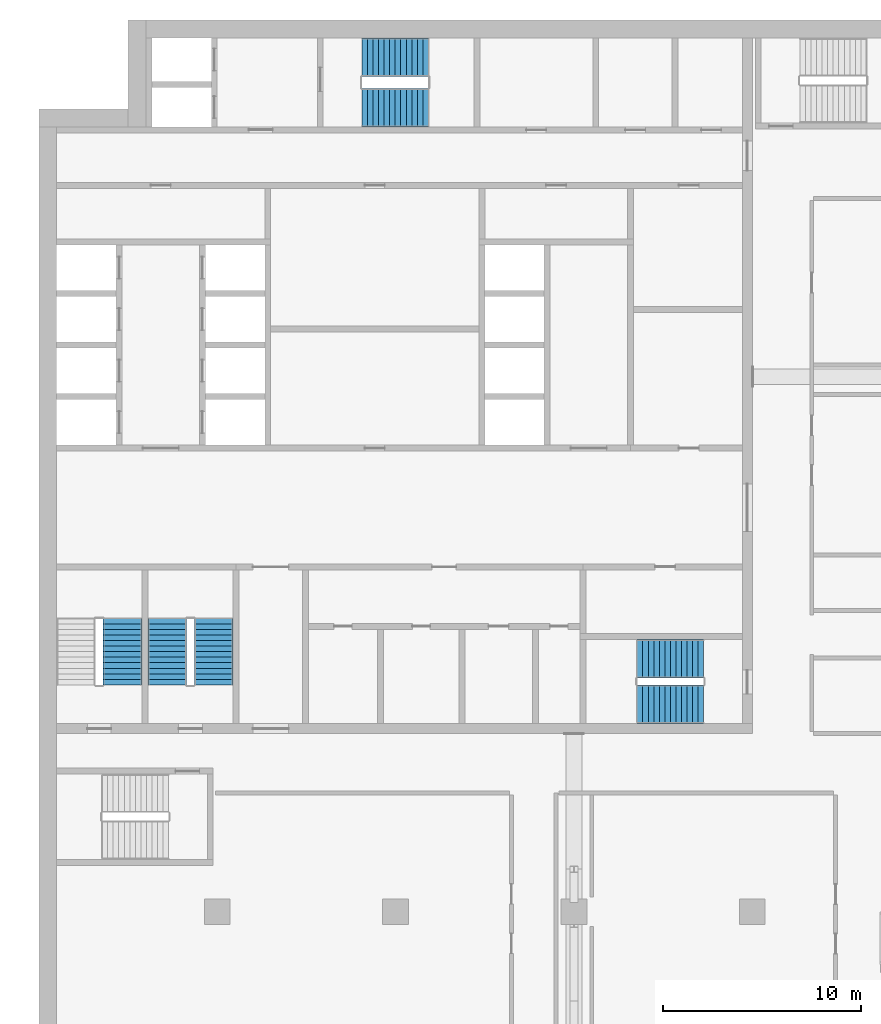
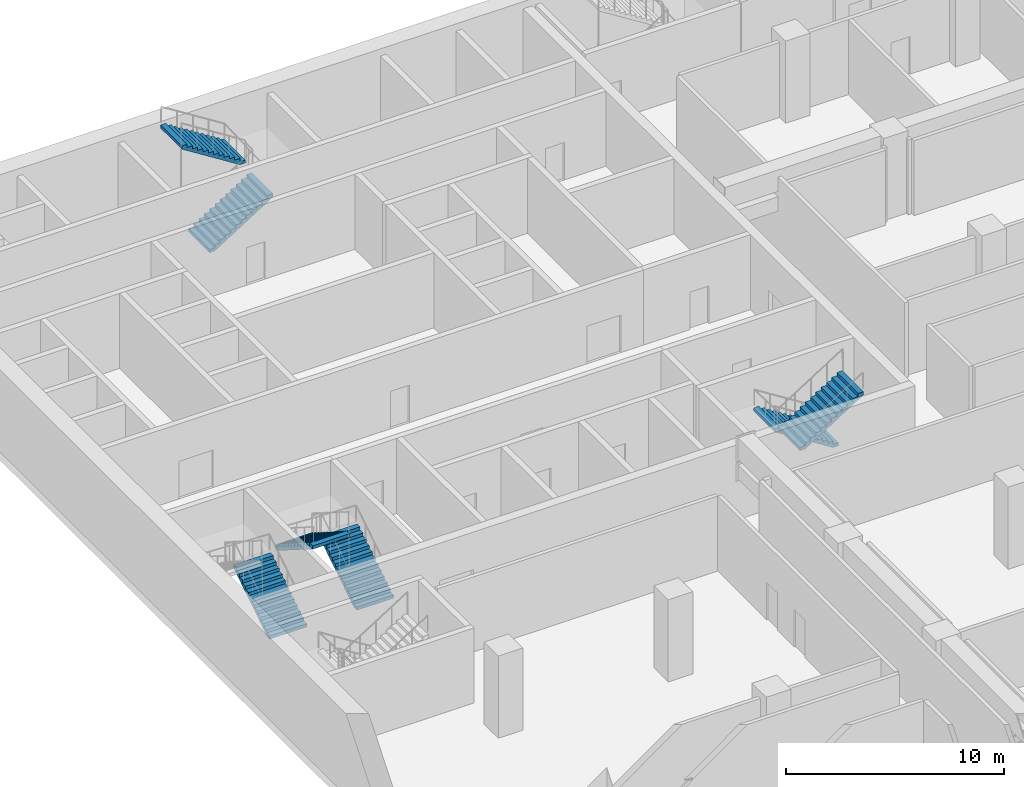
# One storey, part 14 of 22: 7 stair flights, 4 elements without a shape of their own.
"""IFC4 building model written with IfcOpenShell, lengths in metres."""

from ifc_helpers import new_model, si_unit, direction, frame, origin, place, context, subcontext, project, spatial, polyline, outline, extrude, material, type_object, element, aggregate, save


model = new_model("IFC4")

# Units and contexts
model_context = context("Model", 3, precision=1e-05, world=origin(), true_north=direction((0.0, 1.0)))
body_context = subcontext(model_context, "Body", "Model", "MODEL_VIEW")
ifc_project = project(units=[si_unit("LENGTHUNIT", "METRE"), si_unit("AREAUNIT", "SQUARE_METRE"), si_unit("VOLUMEUNIT", "CUBIC_METRE"), si_unit("PLANEANGLEUNIT", "RADIAN"), si_unit("MASSUNIT", "GRAM", prefix="KILO")], contexts=[model_context])

# Site, building, storey
site_placement = place(None, origin())
site = spatial("IfcSite", under=ifc_project, at=site_placement, CompositionType="ELEMENT")
building_placement = place(site_placement, origin())
building = spatial("IfcBuilding", under=site, at=building_placement, Name="Hunhe Ridgeline Campus", CompositionType="ELEMENT")
storey_placement = place(building_placement, frame((0.0, 0.0, 129.199951171875)))
storey = spatial("IfcBuildingStorey", under=building, at=storey_placement, Name="L32", CompositionType="ELEMENT", Elevation=129.199951171875)

# Stair, stair flights
ifc_material = material(Name="Concrete C40", Category="concrete")
stair_type = type_object("IfcStairType", Name="Reinforced concrete dog-leg stair 1950 Concrete C40", PredefinedType="HALF_TURN_STAIR", material=ifc_material)
stair_1_placement = place(storey_placement, origin())
stair_1 = element("IfcStair", 1, at=stair_1_placement, inside=storey, type_object=stair_type, Name="L32 S1", PredefinedType="HALF_TURN_STAIR")
stair_flight_type = type_object("IfcStairFlightType", Name="Reinforced concrete stair flight 1950 Concrete C40", PredefinedType="STRAIGHT", material=ifc_material)
stair_flight_1_placement = place(storey_placement, frame((16.300048828125, 94.574951171875, 0.0), z_axis=(0.0, 0.0, 1.0), x_axis=(1.0, 0.0, 0.0)))
stair_flight_1 = element("IfcStairFlight", 2, at=stair_flight_1_placement, type_object=stair_flight_type, Name="ST1 flight 1", NumberOfRisers=13, NumberOfTreads=12, PredefinedType="STRAIGHT", RiserHeight=0.176923077, TreadLength=0.28, context=body_context, shape_type="SweptSolid", body=[
    extrude(outline(polyline([(0.0, 0.0), (0.0, 0.177001953125), (0.280029296875, 0.177001953125), (0.280029296875, 0.353759765625), (0.56005859375, 0.353759765625), (0.56005859375, 0.53076171875), (0.840087890625, 0.53076171875), (0.840087890625, 0.707763671875), (1.1201171875, 0.707763671875), (1.1201171875, 0.884521484375), (1.39990234375, 0.884521484375), (1.39990234375, 1.0615234375), (1.679931640625, 1.0615234375), (1.679931640625, 1.238525390625), (1.9599609375, 1.238525390625), (1.9599609375, 1.415283203125), (2.239990234375, 1.415283203125), (2.239990234375, 1.59228515625), (2.52001953125, 1.59228515625), (2.52001953125, 1.769287109375), (2.800048828125, 1.769287109375), (2.800048828125, 1.946044921875), (3.080078125, 1.946044921875), (3.080078125, 2.123046875), (3.360107421875, 2.123046875), (3.360107421875, 2.300048828125), (3.360107421875, 1.94580078125), (0.280517578125, 0.0), (0.0, 0.0)])), frame((0.0, 0.97509765625, 0.0), z_axis=(0.0, -1.0, 0.0), x_axis=(1.0, 0.0, 0.0)), (0.0, 0.0, 1.0), 1.949951171875),
    extrude(outline(polyline([(0.030029296875, 0.030029296875), (0.030029296875, 0.14697265625), (0.31005859375, 0.14697265625), (0.31005859375, 0.32373046875), (0.590087890625, 0.32373046875), (0.590087890625, 0.500732421875), (0.8701171875, 0.500732421875), (0.8701171875, 0.677734375), (1.14990234375, 0.677734375), (1.14990234375, 0.8544921875), (1.429931640625, 0.8544921875), (1.429931640625, 1.031494140625), (1.7099609375, 1.031494140625), (1.7099609375, 1.20849609375), (1.989990234375, 1.20849609375), (1.989990234375, 1.385498046875), (2.27001953125, 1.385498046875), (2.27001953125, 1.562255859375), (2.550048828125, 1.562255859375), (2.550048828125, 1.7392578125), (2.830078125, 1.7392578125), (2.830078125, 1.916259765625), (3.110107421875, 1.916259765625), (3.110107421875, 2.093017578125), (3.330078125, 2.093017578125), (3.330078125, 1.96240234375), (0.27197265625, 0.030029296875), (0.030029296875, 0.030029296875)])), frame((0.0, -0.070068359375, 0.0), z_axis=(0.0, -1.0, 0.0), x_axis=(1.0, 0.0, 0.0)), (0.0, 0.0, 1.0), 0.019775390625),
    extrude(outline(polyline([(0.030029296875, 0.030029296875), (0.030029296875, 0.14697265625), (0.31005859375, 0.14697265625), (0.31005859375, 0.32373046875), (0.590087890625, 0.32373046875), (0.590087890625, 0.500732421875), (0.8701171875, 0.500732421875), (0.8701171875, 0.677734375), (1.14990234375, 0.677734375), (1.14990234375, 0.8544921875), (1.429931640625, 0.8544921875), (1.429931640625, 1.031494140625), (1.7099609375, 1.031494140625), (1.7099609375, 1.20849609375), (1.989990234375, 1.20849609375), (1.989990234375, 1.385498046875), (2.27001953125, 1.385498046875), (2.27001953125, 1.562255859375), (2.550048828125, 1.562255859375), (2.550048828125, 1.7392578125), (2.830078125, 1.7392578125), (2.830078125, 1.916259765625), (3.110107421875, 1.916259765625), (3.110107421875, 2.093017578125), (3.330078125, 2.093017578125), (3.330078125, 1.96240234375), (0.27197265625, 0.030029296875), (0.030029296875, 0.030029296875)])), frame((0.0, 0.010009765625, 0.0), z_axis=(0.0, -1.0, 0.0), x_axis=(1.0, 0.0, 0.0)), (0.0, 0.0, 1.0), 0.019775390625),
    extrude(outline(polyline([(0.030029296875, 0.030029296875), (0.030029296875, 0.14697265625), (0.31005859375, 0.14697265625), (0.31005859375, 0.32373046875), (0.590087890625, 0.32373046875), (0.590087890625, 0.500732421875), (0.8701171875, 0.500732421875), (0.8701171875, 0.677734375), (1.14990234375, 0.677734375), (1.14990234375, 0.8544921875), (1.429931640625, 0.8544921875), (1.429931640625, 1.031494140625), (1.7099609375, 1.031494140625), (1.7099609375, 1.20849609375), (1.989990234375, 1.20849609375), (1.989990234375, 1.385498046875), (2.27001953125, 1.385498046875), (2.27001953125, 1.562255859375), (2.550048828125, 1.562255859375), (2.550048828125, 1.7392578125), (2.830078125, 1.7392578125), (2.830078125, 1.916259765625), (3.110107421875, 1.916259765625), (3.110107421875, 2.093017578125), (3.330078125, 2.093017578125), (3.330078125, 1.96240234375), (0.27197265625, 0.030029296875), (0.030029296875, 0.030029296875)])), frame((0.0, 0.090087890625, 0.0), z_axis=(0.0, -1.0, 0.0), x_axis=(1.0, 0.0, 0.0)), (0.0, 0.0, 1.0), 0.019775390625),
])
stair_flight_2_placement = place(storey_placement, frame((19.659912109375, 97.125, 2.300048828125), z_axis=(0.0, 0.0, 1.0), x_axis=(-1.0, 0.0, 0.0)))
stair_flight_2 = element("IfcStairFlight", 3, at=stair_flight_2_placement, type_object=stair_flight_type, Name="ST1 flight 2", NumberOfRisers=13, NumberOfTreads=12, PredefinedType="STRAIGHT", RiserHeight=0.176923077, TreadLength=0.28, context=body_context, shape_type="SweptSolid", body=[
    extrude(outline(polyline([(0.0, 0.0), (0.0, 0.177001953125), (0.280029296875, 0.177001953125), (0.280029296875, 0.353759765625), (0.56005859375, 0.353759765625), (0.56005859375, 0.53076171875), (0.840087890625, 0.53076171875), (0.840087890625, 0.707763671875), (1.1201171875, 0.707763671875), (1.1201171875, 0.884521484375), (1.39990234375, 0.884521484375), (1.39990234375, 1.0615234375), (1.679931640625, 1.0615234375), (1.679931640625, 1.238525390625), (1.9599609375, 1.238525390625), (1.9599609375, 1.415283203125), (2.239990234375, 1.415283203125), (2.239990234375, 1.59228515625), (2.52001953125, 1.59228515625), (2.52001953125, 1.769287109375), (2.800048828125, 1.769287109375), (2.800048828125, 1.946044921875), (3.080078125, 1.946044921875), (3.080078125, 2.123046875), (3.360107421875, 2.123046875), (3.360107421875, 2.300048828125), (3.360107421875, 1.94580078125), (0.280517578125, 0.0), (0.0, 0.0)])), frame((0.0, 0.97509765625, 0.0), z_axis=(0.0, -1.0, 0.0), x_axis=(1.0, 0.0, 0.0)), (0.0, 0.0, 1.0), 1.949951171875),
    extrude(outline(polyline([(0.030029296875, 0.030029296875), (0.030029296875, 0.14697265625), (0.31005859375, 0.14697265625), (0.31005859375, 0.32373046875), (0.590087890625, 0.32373046875), (0.590087890625, 0.500732421875), (0.8701171875, 0.500732421875), (0.8701171875, 0.677734375), (1.14990234375, 0.677734375), (1.14990234375, 0.8544921875), (1.429931640625, 0.8544921875), (1.429931640625, 1.031494140625), (1.7099609375, 1.031494140625), (1.7099609375, 1.20849609375), (1.989990234375, 1.20849609375), (1.989990234375, 1.385498046875), (2.27001953125, 1.385498046875), (2.27001953125, 1.562255859375), (2.550048828125, 1.562255859375), (2.550048828125, 1.7392578125), (2.830078125, 1.7392578125), (2.830078125, 1.916259765625), (3.110107421875, 1.916259765625), (3.110107421875, 2.093017578125), (3.330078125, 2.093017578125), (3.330078125, 1.96240234375), (0.27197265625, 0.030029296875), (0.030029296875, 0.030029296875)])), frame((0.0, -0.070068359375, 0.0), z_axis=(0.0, -1.0, 0.0), x_axis=(1.0, 0.0, 0.0)), (0.0, 0.0, 1.0), 0.019775390625),
    extrude(outline(polyline([(0.030029296875, 0.030029296875), (0.030029296875, 0.14697265625), (0.31005859375, 0.14697265625), (0.31005859375, 0.32373046875), (0.590087890625, 0.32373046875), (0.590087890625, 0.500732421875), (0.8701171875, 0.500732421875), (0.8701171875, 0.677734375), (1.14990234375, 0.677734375), (1.14990234375, 0.8544921875), (1.429931640625, 0.8544921875), (1.429931640625, 1.031494140625), (1.7099609375, 1.031494140625), (1.7099609375, 1.20849609375), (1.989990234375, 1.20849609375), (1.989990234375, 1.385498046875), (2.27001953125, 1.385498046875), (2.27001953125, 1.562255859375), (2.550048828125, 1.562255859375), (2.550048828125, 1.7392578125), (2.830078125, 1.7392578125), (2.830078125, 1.916259765625), (3.110107421875, 1.916259765625), (3.110107421875, 2.093017578125), (3.330078125, 2.093017578125), (3.330078125, 1.96240234375), (0.27197265625, 0.030029296875), (0.030029296875, 0.030029296875)])), frame((0.0, 0.010009765625, 0.0), z_axis=(0.0, -1.0, 0.0), x_axis=(1.0, 0.0, 0.0)), (0.0, 0.0, 1.0), 0.019775390625),
    extrude(outline(polyline([(0.030029296875, 0.030029296875), (0.030029296875, 0.14697265625), (0.31005859375, 0.14697265625), (0.31005859375, 0.32373046875), (0.590087890625, 0.32373046875), (0.590087890625, 0.500732421875), (0.8701171875, 0.500732421875), (0.8701171875, 0.677734375), (1.14990234375, 0.677734375), (1.14990234375, 0.8544921875), (1.429931640625, 0.8544921875), (1.429931640625, 1.031494140625), (1.7099609375, 1.031494140625), (1.7099609375, 1.20849609375), (1.989990234375, 1.20849609375), (1.989990234375, 1.385498046875), (2.27001953125, 1.385498046875), (2.27001953125, 1.562255859375), (2.550048828125, 1.562255859375), (2.550048828125, 1.7392578125), (2.830078125, 1.7392578125), (2.830078125, 1.916259765625), (3.110107421875, 1.916259765625), (3.110107421875, 2.093017578125), (3.330078125, 2.093017578125), (3.330078125, 1.96240234375), (0.27197265625, 0.030029296875), (0.030029296875, 0.030029296875)])), frame((0.0, 0.090087890625, 0.0), z_axis=(0.0, -1.0, 0.0), x_axis=(1.0, 0.0, 0.0)), (0.0, 0.0, 1.0), 0.019775390625),
])
aggregate(stair_1, [stair_flight_1, stair_flight_2])

stair_2_placement = place(storey_placement, origin())
stair_2 = element("IfcStair", 4, at=stair_2_placement, inside=storey, type_object=stair_type, Name="L32 S2", PredefinedType="HALF_TURN_STAIR")
stair_flight_3_placement = place(storey_placement, frame((33.550048828125, 66.77490234375, 0.0), z_axis=(0.0, 0.0, 1.0), x_axis=(-1.0, 0.0, 0.0)))
stair_flight_3 = element("IfcStairFlight", 5, at=stair_flight_3_placement, type_object=stair_flight_type, Name="ST2 flight 1", NumberOfRisers=13, NumberOfTreads=12, PredefinedType="STRAIGHT", RiserHeight=0.176923077, TreadLength=0.28, context=body_context, shape_type="SweptSolid", body=[
    extrude(outline(polyline([(0.0, 0.0), (0.0, 0.177001953125), (0.280029296875, 0.177001953125), (0.280029296875, 0.353759765625), (0.56005859375, 0.353759765625), (0.56005859375, 0.53076171875), (0.840087890625, 0.53076171875), (0.840087890625, 0.707763671875), (1.1201171875, 0.707763671875), (1.1201171875, 0.884521484375), (1.39990234375, 0.884521484375), (1.39990234375, 1.0615234375), (1.679931640625, 1.0615234375), (1.679931640625, 1.238525390625), (1.9599609375, 1.238525390625), (1.9599609375, 1.415283203125), (2.239990234375, 1.415283203125), (2.239990234375, 1.59228515625), (2.52001953125, 1.59228515625), (2.52001953125, 1.769287109375), (2.800048828125, 1.769287109375), (2.800048828125, 1.946044921875), (3.080078125, 1.946044921875), (3.080078125, 2.123046875), (3.360107421875, 2.123046875), (3.360107421875, 2.300048828125), (3.360107421875, 1.94580078125), (0.280517578125, 0.0), (0.0, 0.0)])), frame((0.0, 0.97509765625, 0.0), z_axis=(0.0, -1.0, 0.0), x_axis=(1.0, 0.0, 0.0)), (0.0, 0.0, 1.0), 1.949951171875),
    extrude(outline(polyline([(0.030029296875, 0.030029296875), (0.030029296875, 0.14697265625), (0.31005859375, 0.14697265625), (0.31005859375, 0.32373046875), (0.590087890625, 0.32373046875), (0.590087890625, 0.500732421875), (0.8701171875, 0.500732421875), (0.8701171875, 0.677734375), (1.14990234375, 0.677734375), (1.14990234375, 0.8544921875), (1.429931640625, 0.8544921875), (1.429931640625, 1.031494140625), (1.7099609375, 1.031494140625), (1.7099609375, 1.20849609375), (1.989990234375, 1.20849609375), (1.989990234375, 1.385498046875), (2.27001953125, 1.385498046875), (2.27001953125, 1.562255859375), (2.550048828125, 1.562255859375), (2.550048828125, 1.7392578125), (2.830078125, 1.7392578125), (2.830078125, 1.916259765625), (3.110107421875, 1.916259765625), (3.110107421875, 2.093017578125), (3.330078125, 2.093017578125), (3.330078125, 1.96240234375), (0.27197265625, 0.030029296875), (0.030029296875, 0.030029296875)])), frame((0.0, -0.070068359375, 0.0), z_axis=(0.0, -1.0, 0.0), x_axis=(1.0, 0.0, 0.0)), (0.0, 0.0, 1.0), 0.019775390625),
    extrude(outline(polyline([(0.030029296875, 0.030029296875), (0.030029296875, 0.14697265625), (0.31005859375, 0.14697265625), (0.31005859375, 0.32373046875), (0.590087890625, 0.32373046875), (0.590087890625, 0.500732421875), (0.8701171875, 0.500732421875), (0.8701171875, 0.677734375), (1.14990234375, 0.677734375), (1.14990234375, 0.8544921875), (1.429931640625, 0.8544921875), (1.429931640625, 1.031494140625), (1.7099609375, 1.031494140625), (1.7099609375, 1.20849609375), (1.989990234375, 1.20849609375), (1.989990234375, 1.385498046875), (2.27001953125, 1.385498046875), (2.27001953125, 1.562255859375), (2.550048828125, 1.562255859375), (2.550048828125, 1.7392578125), (2.830078125, 1.7392578125), (2.830078125, 1.916259765625), (3.110107421875, 1.916259765625), (3.110107421875, 2.093017578125), (3.330078125, 2.093017578125), (3.330078125, 1.96240234375), (0.27197265625, 0.030029296875), (0.030029296875, 0.030029296875)])), frame((0.0, 0.010009765625, 0.0), z_axis=(0.0, -1.0, 0.0), x_axis=(1.0, 0.0, 0.0)), (0.0, 0.0, 1.0), 0.019775390625),
    extrude(outline(polyline([(0.030029296875, 0.030029296875), (0.030029296875, 0.14697265625), (0.31005859375, 0.14697265625), (0.31005859375, 0.32373046875), (0.590087890625, 0.32373046875), (0.590087890625, 0.500732421875), (0.8701171875, 0.500732421875), (0.8701171875, 0.677734375), (1.14990234375, 0.677734375), (1.14990234375, 0.8544921875), (1.429931640625, 0.8544921875), (1.429931640625, 1.031494140625), (1.7099609375, 1.031494140625), (1.7099609375, 1.20849609375), (1.989990234375, 1.20849609375), (1.989990234375, 1.385498046875), (2.27001953125, 1.385498046875), (2.27001953125, 1.562255859375), (2.550048828125, 1.562255859375), (2.550048828125, 1.7392578125), (2.830078125, 1.7392578125), (2.830078125, 1.916259765625), (3.110107421875, 1.916259765625), (3.110107421875, 2.093017578125), (3.330078125, 2.093017578125), (3.330078125, 1.96240234375), (0.27197265625, 0.030029296875), (0.030029296875, 0.030029296875)])), frame((0.0, 0.090087890625, 0.0), z_axis=(0.0, -1.0, 0.0), x_axis=(1.0, 0.0, 0.0)), (0.0, 0.0, 1.0), 0.019775390625),
])
stair_flight_4_placement = place(storey_placement, frame((30.18994140625, 64.47509765625, 2.300048828125), z_axis=(0.0, 0.0, 1.0), x_axis=(1.0, 0.0, 0.0)))
stair_flight_4 = element("IfcStairFlight", 6, at=stair_flight_4_placement, type_object=stair_flight_type, Name="ST2 flight 2", NumberOfRisers=13, NumberOfTreads=12, PredefinedType="STRAIGHT", RiserHeight=0.176923077, TreadLength=0.28, context=body_context, shape_type="SweptSolid", body=[
    extrude(outline(polyline([(0.0, 0.0), (0.0, 0.177001953125), (0.280029296875, 0.177001953125), (0.280029296875, 0.353759765625), (0.56005859375, 0.353759765625), (0.56005859375, 0.53076171875), (0.840087890625, 0.53076171875), (0.840087890625, 0.707763671875), (1.1201171875, 0.707763671875), (1.1201171875, 0.884521484375), (1.39990234375, 0.884521484375), (1.39990234375, 1.0615234375), (1.679931640625, 1.0615234375), (1.679931640625, 1.238525390625), (1.9599609375, 1.238525390625), (1.9599609375, 1.415283203125), (2.239990234375, 1.415283203125), (2.239990234375, 1.59228515625), (2.52001953125, 1.59228515625), (2.52001953125, 1.769287109375), (2.800048828125, 1.769287109375), (2.800048828125, 1.946044921875), (3.080078125, 1.946044921875), (3.080078125, 2.123046875), (3.360107421875, 2.123046875), (3.360107421875, 2.300048828125), (3.360107421875, 1.94580078125), (0.280517578125, 0.0), (0.0, 0.0)])), frame((0.0, 0.97509765625, 0.0), z_axis=(0.0, -1.0, 0.0), x_axis=(1.0, 0.0, 0.0)), (0.0, 0.0, 1.0), 1.949951171875),
    extrude(outline(polyline([(0.030029296875, 0.030029296875), (0.030029296875, 0.14697265625), (0.31005859375, 0.14697265625), (0.31005859375, 0.32373046875), (0.590087890625, 0.32373046875), (0.590087890625, 0.500732421875), (0.8701171875, 0.500732421875), (0.8701171875, 0.677734375), (1.14990234375, 0.677734375), (1.14990234375, 0.8544921875), (1.429931640625, 0.8544921875), (1.429931640625, 1.031494140625), (1.7099609375, 1.031494140625), (1.7099609375, 1.20849609375), (1.989990234375, 1.20849609375), (1.989990234375, 1.385498046875), (2.27001953125, 1.385498046875), (2.27001953125, 1.562255859375), (2.550048828125, 1.562255859375), (2.550048828125, 1.7392578125), (2.830078125, 1.7392578125), (2.830078125, 1.916259765625), (3.110107421875, 1.916259765625), (3.110107421875, 2.093017578125), (3.330078125, 2.093017578125), (3.330078125, 1.96240234375), (0.27197265625, 0.030029296875), (0.030029296875, 0.030029296875)])), frame((0.0, -0.070068359375, 0.0), z_axis=(0.0, -1.0, 0.0), x_axis=(1.0, 0.0, 0.0)), (0.0, 0.0, 1.0), 0.019775390625),
    extrude(outline(polyline([(0.030029296875, 0.030029296875), (0.030029296875, 0.14697265625), (0.31005859375, 0.14697265625), (0.31005859375, 0.32373046875), (0.590087890625, 0.32373046875), (0.590087890625, 0.500732421875), (0.8701171875, 0.500732421875), (0.8701171875, 0.677734375), (1.14990234375, 0.677734375), (1.14990234375, 0.8544921875), (1.429931640625, 0.8544921875), (1.429931640625, 1.031494140625), (1.7099609375, 1.031494140625), (1.7099609375, 1.20849609375), (1.989990234375, 1.20849609375), (1.989990234375, 1.385498046875), (2.27001953125, 1.385498046875), (2.27001953125, 1.562255859375), (2.550048828125, 1.562255859375), (2.550048828125, 1.7392578125), (2.830078125, 1.7392578125), (2.830078125, 1.916259765625), (3.110107421875, 1.916259765625), (3.110107421875, 2.093017578125), (3.330078125, 2.093017578125), (3.330078125, 1.96240234375), (0.27197265625, 0.030029296875), (0.030029296875, 0.030029296875)])), frame((0.0, 0.010009765625, 0.0), z_axis=(0.0, -1.0, 0.0), x_axis=(1.0, 0.0, 0.0)), (0.0, 0.0, 1.0), 0.019775390625),
    extrude(outline(polyline([(0.030029296875, 0.030029296875), (0.030029296875, 0.14697265625), (0.31005859375, 0.14697265625), (0.31005859375, 0.32373046875), (0.590087890625, 0.32373046875), (0.590087890625, 0.500732421875), (0.8701171875, 0.500732421875), (0.8701171875, 0.677734375), (1.14990234375, 0.677734375), (1.14990234375, 0.8544921875), (1.429931640625, 0.8544921875), (1.429931640625, 1.031494140625), (1.7099609375, 1.031494140625), (1.7099609375, 1.20849609375), (1.989990234375, 1.20849609375), (1.989990234375, 1.385498046875), (2.27001953125, 1.385498046875), (2.27001953125, 1.562255859375), (2.550048828125, 1.562255859375), (2.550048828125, 1.7392578125), (2.830078125, 1.7392578125), (2.830078125, 1.916259765625), (3.110107421875, 1.916259765625), (3.110107421875, 2.093017578125), (3.330078125, 2.093017578125), (3.330078125, 1.96240234375), (0.27197265625, 0.030029296875), (0.030029296875, 0.030029296875)])), frame((0.0, 0.090087890625, 0.0), z_axis=(0.0, -1.0, 0.0), x_axis=(1.0, 0.0, 0.0)), (0.0, 0.0, 1.0), 0.019775390625),
])
aggregate(stair_2, [stair_flight_3, stair_flight_4])

# Stair, stair flight
stair_3_placement = place(storey_placement, origin())
stair_3 = element("IfcStair", 7, at=stair_3_placement, inside=storey, type_object=stair_type, Name="L32 S3", PredefinedType="HALF_TURN_STAIR")
stair_flight_5_placement = place(storey_placement, frame((4.22509765625, 65.449951171875, 0.0), z_axis=(0.0, 0.0, 1.0), x_axis=(0.0, 1.0, 0.0)))
stair_flight_5 = element("IfcStairFlight", 8, at=stair_flight_5_placement, type_object=stair_flight_type, Name="ST3 flight 1", NumberOfRisers=13, NumberOfTreads=12, PredefinedType="STRAIGHT", RiserHeight=0.176923077, TreadLength=0.28, context=body_context, shape_type="SweptSolid", body=[
    extrude(outline(polyline([(0.0, 0.0), (0.0, 0.177001953125), (0.280029296875, 0.177001953125), (0.280029296875, 0.353759765625), (0.56005859375, 0.353759765625), (0.56005859375, 0.53076171875), (0.840087890625, 0.53076171875), (0.840087890625, 0.707763671875), (1.1201171875, 0.707763671875), (1.1201171875, 0.884521484375), (1.39990234375, 0.884521484375), (1.39990234375, 1.0615234375), (1.679931640625, 1.0615234375), (1.679931640625, 1.238525390625), (1.9599609375, 1.238525390625), (1.9599609375, 1.415283203125), (2.239990234375, 1.415283203125), (2.239990234375, 1.59228515625), (2.52001953125, 1.59228515625), (2.52001953125, 1.769287109375), (2.800048828125, 1.769287109375), (2.800048828125, 1.946044921875), (3.080078125, 1.946044921875), (3.080078125, 2.123046875), (3.360107421875, 2.123046875), (3.360107421875, 2.300048828125), (3.360107421875, 1.94580078125), (0.280517578125, 0.0), (0.0, 0.0)])), frame((0.0, 0.97509765625, 0.0), z_axis=(0.0, -1.0, 0.0), x_axis=(1.0, 0.0, 0.0)), (0.0, 0.0, 1.0), 1.949951171875),
    extrude(outline(polyline([(0.030029296875, 0.030029296875), (0.030029296875, 0.14697265625), (0.31005859375, 0.14697265625), (0.31005859375, 0.32373046875), (0.590087890625, 0.32373046875), (0.590087890625, 0.500732421875), (0.8701171875, 0.500732421875), (0.8701171875, 0.677734375), (1.14990234375, 0.677734375), (1.14990234375, 0.8544921875), (1.429931640625, 0.8544921875), (1.429931640625, 1.031494140625), (1.7099609375, 1.031494140625), (1.7099609375, 1.20849609375), (1.989990234375, 1.20849609375), (1.989990234375, 1.385498046875), (2.27001953125, 1.385498046875), (2.27001953125, 1.562255859375), (2.550048828125, 1.562255859375), (2.550048828125, 1.7392578125), (2.830078125, 1.7392578125), (2.830078125, 1.916259765625), (3.110107421875, 1.916259765625), (3.110107421875, 2.093017578125), (3.330078125, 2.093017578125), (3.330078125, 1.96240234375), (0.27197265625, 0.030029296875), (0.030029296875, 0.030029296875)])), frame((0.0, -0.070068359375, 0.0), z_axis=(0.0, -1.0, 0.0), x_axis=(1.0, 0.0, 0.0)), (0.0, 0.0, 1.0), 0.019775390625),
    extrude(outline(polyline([(0.030029296875, 0.030029296875), (0.030029296875, 0.14697265625), (0.31005859375, 0.14697265625), (0.31005859375, 0.32373046875), (0.590087890625, 0.32373046875), (0.590087890625, 0.500732421875), (0.8701171875, 0.500732421875), (0.8701171875, 0.677734375), (1.14990234375, 0.677734375), (1.14990234375, 0.8544921875), (1.429931640625, 0.8544921875), (1.429931640625, 1.031494140625), (1.7099609375, 1.031494140625), (1.7099609375, 1.20849609375), (1.989990234375, 1.20849609375), (1.989990234375, 1.385498046875), (2.27001953125, 1.385498046875), (2.27001953125, 1.562255859375), (2.550048828125, 1.562255859375), (2.550048828125, 1.7392578125), (2.830078125, 1.7392578125), (2.830078125, 1.916259765625), (3.110107421875, 1.916259765625), (3.110107421875, 2.093017578125), (3.330078125, 2.093017578125), (3.330078125, 1.96240234375), (0.27197265625, 0.030029296875), (0.030029296875, 0.030029296875)])), frame((0.0, 0.010009765625, 0.0), z_axis=(0.0, -1.0, 0.0), x_axis=(1.0, 0.0, 0.0)), (0.0, 0.0, 1.0), 0.019775390625),
    extrude(outline(polyline([(0.030029296875, 0.030029296875), (0.030029296875, 0.14697265625), (0.31005859375, 0.14697265625), (0.31005859375, 0.32373046875), (0.590087890625, 0.32373046875), (0.590087890625, 0.500732421875), (0.8701171875, 0.500732421875), (0.8701171875, 0.677734375), (1.14990234375, 0.677734375), (1.14990234375, 0.8544921875), (1.429931640625, 0.8544921875), (1.429931640625, 1.031494140625), (1.7099609375, 1.031494140625), (1.7099609375, 1.20849609375), (1.989990234375, 1.20849609375), (1.989990234375, 1.385498046875), (2.27001953125, 1.385498046875), (2.27001953125, 1.562255859375), (2.550048828125, 1.562255859375), (2.550048828125, 1.7392578125), (2.830078125, 1.7392578125), (2.830078125, 1.916259765625), (3.110107421875, 1.916259765625), (3.110107421875, 2.093017578125), (3.330078125, 2.093017578125), (3.330078125, 1.96240234375), (0.27197265625, 0.030029296875), (0.030029296875, 0.030029296875)])), frame((0.0, 0.090087890625, 0.0), z_axis=(0.0, -1.0, 0.0), x_axis=(1.0, 0.0, 0.0)), (0.0, 0.0, 1.0), 0.019775390625),
])
aggregate(stair_3, [stair_flight_5])

# Stair, stair flights
stair_4_placement = place(storey_placement, origin())
stair_4 = element("IfcStair", 9, at=stair_4_placement, inside=storey, type_object=stair_type, Name="L32 S4", PredefinedType="HALF_TURN_STAIR")
stair_flight_6_placement = place(storey_placement, frame((8.824951171875, 65.449951171875, 0.0), z_axis=(0.0, 0.0, 1.0), x_axis=(0.0, 1.0, 0.0)))
stair_flight_6 = element("IfcStairFlight", 10, at=stair_flight_6_placement, type_object=stair_flight_type, Name="ST4 flight 1", NumberOfRisers=13, NumberOfTreads=12, PredefinedType="STRAIGHT", RiserHeight=0.176923077, TreadLength=0.28, context=body_context, shape_type="SweptSolid", body=[
    extrude(outline(polyline([(0.0, 0.0), (0.0, 0.177001953125), (0.280029296875, 0.177001953125), (0.280029296875, 0.353759765625), (0.56005859375, 0.353759765625), (0.56005859375, 0.53076171875), (0.840087890625, 0.53076171875), (0.840087890625, 0.707763671875), (1.1201171875, 0.707763671875), (1.1201171875, 0.884521484375), (1.39990234375, 0.884521484375), (1.39990234375, 1.0615234375), (1.679931640625, 1.0615234375), (1.679931640625, 1.238525390625), (1.9599609375, 1.238525390625), (1.9599609375, 1.415283203125), (2.239990234375, 1.415283203125), (2.239990234375, 1.59228515625), (2.52001953125, 1.59228515625), (2.52001953125, 1.769287109375), (2.800048828125, 1.769287109375), (2.800048828125, 1.946044921875), (3.080078125, 1.946044921875), (3.080078125, 2.123046875), (3.360107421875, 2.123046875), (3.360107421875, 2.300048828125), (3.360107421875, 1.94580078125), (0.280517578125, 0.0), (0.0, 0.0)])), frame((0.0, 0.97509765625, 0.0), z_axis=(0.0, -1.0, 0.0), x_axis=(1.0, 0.0, 0.0)), (0.0, 0.0, 1.0), 1.949951171875),
    extrude(outline(polyline([(0.030029296875, 0.030029296875), (0.030029296875, 0.14697265625), (0.31005859375, 0.14697265625), (0.31005859375, 0.32373046875), (0.590087890625, 0.32373046875), (0.590087890625, 0.500732421875), (0.8701171875, 0.500732421875), (0.8701171875, 0.677734375), (1.14990234375, 0.677734375), (1.14990234375, 0.8544921875), (1.429931640625, 0.8544921875), (1.429931640625, 1.031494140625), (1.7099609375, 1.031494140625), (1.7099609375, 1.20849609375), (1.989990234375, 1.20849609375), (1.989990234375, 1.385498046875), (2.27001953125, 1.385498046875), (2.27001953125, 1.562255859375), (2.550048828125, 1.562255859375), (2.550048828125, 1.7392578125), (2.830078125, 1.7392578125), (2.830078125, 1.916259765625), (3.110107421875, 1.916259765625), (3.110107421875, 2.093017578125), (3.330078125, 2.093017578125), (3.330078125, 1.96240234375), (0.27197265625, 0.030029296875), (0.030029296875, 0.030029296875)])), frame((0.0, -0.070068359375, 0.0), z_axis=(0.0, -1.0, 0.0), x_axis=(1.0, 0.0, 0.0)), (0.0, 0.0, 1.0), 0.019775390625),
    extrude(outline(polyline([(0.030029296875, 0.030029296875), (0.030029296875, 0.14697265625), (0.31005859375, 0.14697265625), (0.31005859375, 0.32373046875), (0.590087890625, 0.32373046875), (0.590087890625, 0.500732421875), (0.8701171875, 0.500732421875), (0.8701171875, 0.677734375), (1.14990234375, 0.677734375), (1.14990234375, 0.8544921875), (1.429931640625, 0.8544921875), (1.429931640625, 1.031494140625), (1.7099609375, 1.031494140625), (1.7099609375, 1.20849609375), (1.989990234375, 1.20849609375), (1.989990234375, 1.385498046875), (2.27001953125, 1.385498046875), (2.27001953125, 1.562255859375), (2.550048828125, 1.562255859375), (2.550048828125, 1.7392578125), (2.830078125, 1.7392578125), (2.830078125, 1.916259765625), (3.110107421875, 1.916259765625), (3.110107421875, 2.093017578125), (3.330078125, 2.093017578125), (3.330078125, 1.96240234375), (0.27197265625, 0.030029296875), (0.030029296875, 0.030029296875)])), frame((0.0, 0.010009765625, 0.0), z_axis=(0.0, -1.0, 0.0), x_axis=(1.0, 0.0, 0.0)), (0.0, 0.0, 1.0), 0.019775390625),
    extrude(outline(polyline([(0.030029296875, 0.030029296875), (0.030029296875, 0.14697265625), (0.31005859375, 0.14697265625), (0.31005859375, 0.32373046875), (0.590087890625, 0.32373046875), (0.590087890625, 0.500732421875), (0.8701171875, 0.500732421875), (0.8701171875, 0.677734375), (1.14990234375, 0.677734375), (1.14990234375, 0.8544921875), (1.429931640625, 0.8544921875), (1.429931640625, 1.031494140625), (1.7099609375, 1.031494140625), (1.7099609375, 1.20849609375), (1.989990234375, 1.20849609375), (1.989990234375, 1.385498046875), (2.27001953125, 1.385498046875), (2.27001953125, 1.562255859375), (2.550048828125, 1.562255859375), (2.550048828125, 1.7392578125), (2.830078125, 1.7392578125), (2.830078125, 1.916259765625), (3.110107421875, 1.916259765625), (3.110107421875, 2.093017578125), (3.330078125, 2.093017578125), (3.330078125, 1.96240234375), (0.27197265625, 0.030029296875), (0.030029296875, 0.030029296875)])), frame((0.0, 0.090087890625, 0.0), z_axis=(0.0, -1.0, 0.0), x_axis=(1.0, 0.0, 0.0)), (0.0, 0.0, 1.0), 0.019775390625),
])
stair_flight_7_placement = place(storey_placement, frame((6.47509765625, 68.81005859375, 2.300048828125), z_axis=(0.0, 0.0, 1.0), x_axis=(0.0, -1.0, 0.0)))
stair_flight_7 = element("IfcStairFlight", 11, at=stair_flight_7_placement, type_object=stair_flight_type, Name="ST4 flight 2", NumberOfRisers=13, NumberOfTreads=12, PredefinedType="STRAIGHT", RiserHeight=0.176923077, TreadLength=0.28, context=body_context, shape_type="SweptSolid", body=[
    extrude(outline(polyline([(0.0, 0.0), (0.0, 0.177001953125), (0.280029296875, 0.177001953125), (0.280029296875, 0.353759765625), (0.56005859375, 0.353759765625), (0.56005859375, 0.53076171875), (0.840087890625, 0.53076171875), (0.840087890625, 0.707763671875), (1.1201171875, 0.707763671875), (1.1201171875, 0.884521484375), (1.39990234375, 0.884521484375), (1.39990234375, 1.0615234375), (1.679931640625, 1.0615234375), (1.679931640625, 1.238525390625), (1.9599609375, 1.238525390625), (1.9599609375, 1.415283203125), (2.239990234375, 1.415283203125), (2.239990234375, 1.59228515625), (2.52001953125, 1.59228515625), (2.52001953125, 1.769287109375), (2.800048828125, 1.769287109375), (2.800048828125, 1.946044921875), (3.080078125, 1.946044921875), (3.080078125, 2.123046875), (3.360107421875, 2.123046875), (3.360107421875, 2.300048828125), (3.360107421875, 1.94580078125), (0.280517578125, 0.0), (0.0, 0.0)])), frame((0.0, 0.97509765625, 0.0), z_axis=(0.0, -1.0, 0.0), x_axis=(1.0, 0.0, 0.0)), (0.0, 0.0, 1.0), 1.949951171875),
    extrude(outline(polyline([(0.030029296875, 0.030029296875), (0.030029296875, 0.14697265625), (0.31005859375, 0.14697265625), (0.31005859375, 0.32373046875), (0.590087890625, 0.32373046875), (0.590087890625, 0.500732421875), (0.8701171875, 0.500732421875), (0.8701171875, 0.677734375), (1.14990234375, 0.677734375), (1.14990234375, 0.8544921875), (1.429931640625, 0.8544921875), (1.429931640625, 1.031494140625), (1.7099609375, 1.031494140625), (1.7099609375, 1.20849609375), (1.989990234375, 1.20849609375), (1.989990234375, 1.385498046875), (2.27001953125, 1.385498046875), (2.27001953125, 1.562255859375), (2.550048828125, 1.562255859375), (2.550048828125, 1.7392578125), (2.830078125, 1.7392578125), (2.830078125, 1.916259765625), (3.110107421875, 1.916259765625), (3.110107421875, 2.093017578125), (3.330078125, 2.093017578125), (3.330078125, 1.96240234375), (0.27197265625, 0.030029296875), (0.030029296875, 0.030029296875)])), frame((0.0, -0.070068359375, 0.0), z_axis=(0.0, -1.0, 0.0), x_axis=(1.0, 0.0, 0.0)), (0.0, 0.0, 1.0), 0.019775390625),
    extrude(outline(polyline([(0.030029296875, 0.030029296875), (0.030029296875, 0.14697265625), (0.31005859375, 0.14697265625), (0.31005859375, 0.32373046875), (0.590087890625, 0.32373046875), (0.590087890625, 0.500732421875), (0.8701171875, 0.500732421875), (0.8701171875, 0.677734375), (1.14990234375, 0.677734375), (1.14990234375, 0.8544921875), (1.429931640625, 0.8544921875), (1.429931640625, 1.031494140625), (1.7099609375, 1.031494140625), (1.7099609375, 1.20849609375), (1.989990234375, 1.20849609375), (1.989990234375, 1.385498046875), (2.27001953125, 1.385498046875), (2.27001953125, 1.562255859375), (2.550048828125, 1.562255859375), (2.550048828125, 1.7392578125), (2.830078125, 1.7392578125), (2.830078125, 1.916259765625), (3.110107421875, 1.916259765625), (3.110107421875, 2.093017578125), (3.330078125, 2.093017578125), (3.330078125, 1.96240234375), (0.27197265625, 0.030029296875), (0.030029296875, 0.030029296875)])), frame((0.0, 0.010009765625, 0.0), z_axis=(0.0, -1.0, 0.0), x_axis=(1.0, 0.0, 0.0)), (0.0, 0.0, 1.0), 0.019775390625),
    extrude(outline(polyline([(0.030029296875, 0.030029296875), (0.030029296875, 0.14697265625), (0.31005859375, 0.14697265625), (0.31005859375, 0.32373046875), (0.590087890625, 0.32373046875), (0.590087890625, 0.500732421875), (0.8701171875, 0.500732421875), (0.8701171875, 0.677734375), (1.14990234375, 0.677734375), (1.14990234375, 0.8544921875), (1.429931640625, 0.8544921875), (1.429931640625, 1.031494140625), (1.7099609375, 1.031494140625), (1.7099609375, 1.20849609375), (1.989990234375, 1.20849609375), (1.989990234375, 1.385498046875), (2.27001953125, 1.385498046875), (2.27001953125, 1.562255859375), (2.550048828125, 1.562255859375), (2.550048828125, 1.7392578125), (2.830078125, 1.7392578125), (2.830078125, 1.916259765625), (3.110107421875, 1.916259765625), (3.110107421875, 2.093017578125), (3.330078125, 2.093017578125), (3.330078125, 1.96240234375), (0.27197265625, 0.030029296875), (0.030029296875, 0.030029296875)])), frame((0.0, 0.090087890625, 0.0), z_axis=(0.0, -1.0, 0.0), x_axis=(1.0, 0.0, 0.0)), (0.0, 0.0, 1.0), 0.019775390625),
])
aggregate(stair_4, [stair_flight_6, stair_flight_7])

save(model, "model.ifc")
